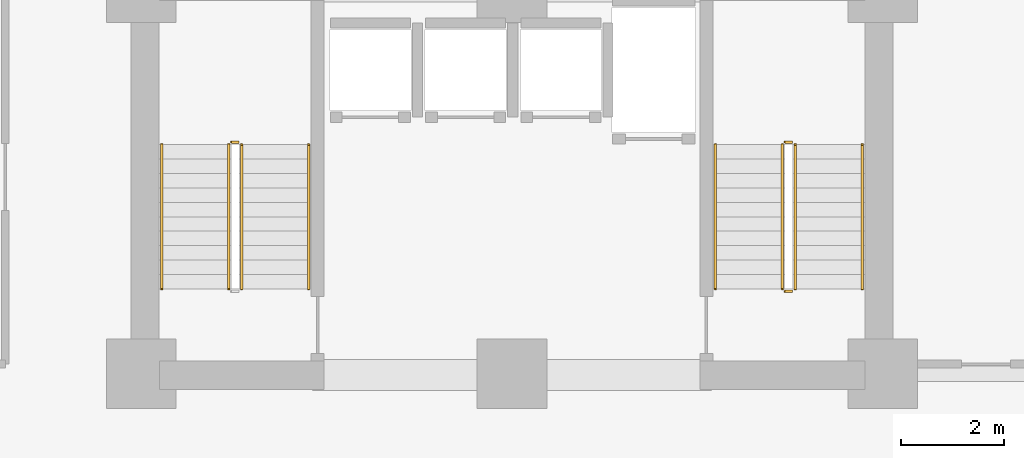
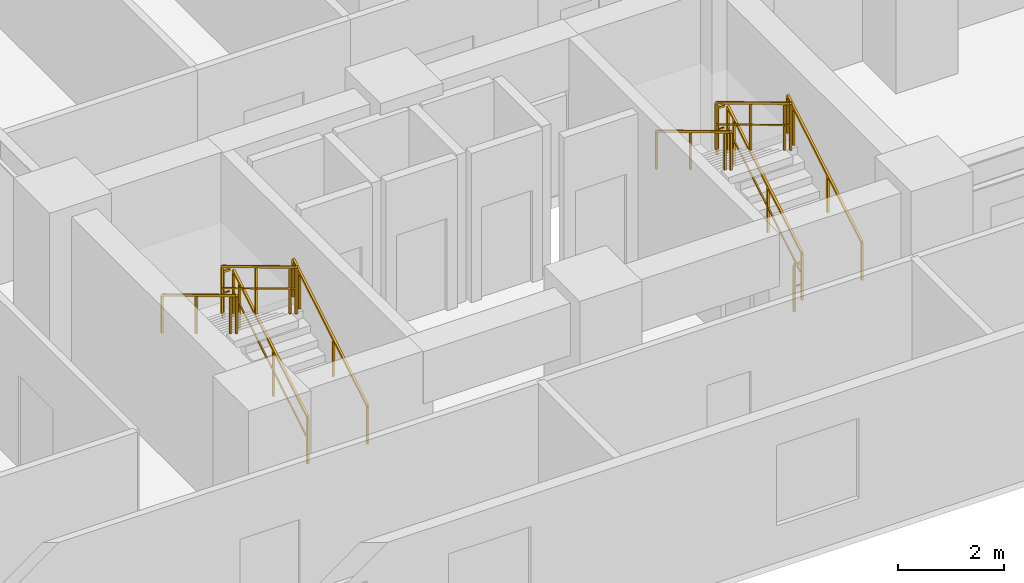
# One storey, part 15 of 16: 11 railings.
"""IFC4 building model written with IfcOpenShell, lengths in metres."""

from ifc_helpers import new_model, si_unit, direction, frame, origin, origin_2d, place, context, subcontext, project, spatial, rectangle, extrude, material, type_object, element, save


model = new_model("IFC4")

# Units and contexts
model_context = context("Model", 3, precision=1e-05, world=origin(), true_north=direction((0.0, 1.0)))
body_context = subcontext(model_context, "Body", "Model", "MODEL_VIEW")
ifc_project = project(units=[si_unit("LENGTHUNIT", "METRE"), si_unit("AREAUNIT", "SQUARE_METRE"), si_unit("VOLUMEUNIT", "CUBIC_METRE"), si_unit("PLANEANGLEUNIT", "RADIAN"), si_unit("MASSUNIT", "GRAM", prefix="KILO")], contexts=[model_context])

# Site, building, storey
site_placement = place(None, origin())
site = spatial("IfcSite", under=ifc_project, at=site_placement, CompositionType="ELEMENT")
building_placement = place(site_placement, origin())
building = spatial("IfcBuilding", under=site, at=building_placement, Name="Kaliganga Portal Commons", CompositionType="ELEMENT")
storey_placement = place(building_placement, frame((0.0, 0.0, 29.0)))
storey = spatial("IfcBuildingStorey", under=building, at=storey_placement, Name="L06", CompositionType="ELEMENT", Elevation=29.0)

# Railings
ifc_material_1 = material(Name="Galvanized Painted Steel Balustrade", Category="steel")
railing_type_1 = type_object("IfcRailingType", Name="RLG-STAIR-GRD", PredefinedType="GUARDRAIL", material=ifc_material_1)
railing_1_placement = place(storey_placement, frame((37.949951171875, 8.699951171875, 0.168212890625)))
element("IfcRailing", 1, at=railing_1_placement, inside=storey, type_object=railing_type_1, Name="L06 ST-B1 stair guard 1", PredefinedType="GUARDRAIL", context=body_context, shape_type="SweptSolid", body=[
    extrude(rectangle(XDim=0.048095703125, YDim=0.048095703125, at=origin_2d()), frame((0.0, 0.0, 1.072021484375), z_axis=(0.0, 0.857242210791, 0.514913383045), x_axis=(-1.0, 0.0, 0.0)), (0.0, 0.0, 1.0), 3.266357421875),
    extrude(rectangle(XDim=0.028076171875, YDim=0.028076171875, at=origin_2d()), frame((0.0, 0.0, 0.572021484375), z_axis=(0.0, 0.857242210791, 0.514913383045), x_axis=(-1.0, 0.0, 0.0)), (0.0, 0.0, 1.0), 3.266357421875),
    extrude(rectangle(XDim=0.0419921875, YDim=0.0419921875, at=origin_2d()), origin(), (0.0, 0.0, 1.0), 1.052001953125),
    extrude(rectangle(XDim=0.0419921875, YDim=0.0419921875, at=origin_2d()), frame((0.0, 1.285888671875, 0.7724609375)), (0.0, 0.0, 1.0), 1.052001953125),
    extrude(rectangle(XDim=0.0419921875, YDim=0.0419921875, at=origin_2d()), frame((0.0, 2.57177734375, 1.544677734375)), (0.0, 0.0, 1.0), 1.052001953125),
    extrude(rectangle(XDim=0.0419921875, YDim=0.0419921875, at=origin_2d()), frame((0.0, 2.800048828125, 1.681884765625)), (0.0, 0.0, 1.0), 1.052001953125),
])
railing_2_placement = place(storey_placement, frame((37.89990234375, 11.550048828125, 1.85009765625)))
element("IfcRailing", 2, at=railing_2_placement, inside=storey, type_object=railing_type_1, Name="L06 ST-B1 stair guard 2", PredefinedType="GUARDRAIL", context=body_context, shape_type="SweptSolid", body=[
    extrude(rectangle(XDim=0.048095703125, YDim=0.048095703125, at=origin_2d()), frame((0.0, 0.0, 1.076171875), z_axis=(-1.0, 0.0, 0.0), x_axis=(0.0, -1.0, 0.0)), (0.0, 0.0, 1.0), 0.14990234375),
    extrude(rectangle(XDim=0.028076171875, YDim=0.028076171875, at=origin_2d()), frame((0.0, 0.0, 0.572021484375), z_axis=(-1.0, 0.0, 0.0), x_axis=(0.0, -1.0, 0.0)), (0.0, 0.0, 1.0), 0.14990234375),
    extrude(rectangle(XDim=0.0419921875, YDim=0.0419921875, at=origin_2d()), frame((-0.14990234375, 0.0, 0.0)), (0.0, 0.0, 1.0), 1.052001953125),
])
railing_3_placement = place(storey_placement, frame((37.699951171875, 11.5, 2.01806640625)))
element("IfcRailing", 3, at=railing_3_placement, inside=storey, type_object=railing_type_1, Name="L06 ST-B1 stair guard 3", PredefinedType="GUARDRAIL", context=body_context, shape_type="SweptSolid", body=[
    extrude(rectangle(XDim=0.048095703125, YDim=0.048095703125, at=origin_2d()), frame((0.0, 0.0, 1.072021484375), z_axis=(0.0, -0.857242210791, 0.514913383045), x_axis=(1.0, 0.0, 0.0)), (0.0, 0.0, 1.0), 3.266357421875),
    extrude(rectangle(XDim=0.028076171875, YDim=0.028076171875, at=origin_2d()), frame((0.0, 0.0, 0.572021484375), z_axis=(0.0, -0.857242210791, 0.514913383045), x_axis=(1.0, 0.0, 0.0)), (0.0, 0.0, 1.0), 3.266357421875),
    extrude(rectangle(XDim=0.0419921875, YDim=0.0419921875, at=origin_2d()), origin(), (0.0, 0.0, 1.0), 1.052001953125),
    extrude(rectangle(XDim=0.0419921875, YDim=0.0419921875, at=origin_2d()), frame((0.0, -1.285888671875, 0.7724609375)), (0.0, 0.0, 1.0), 1.052001953125),
    extrude(rectangle(XDim=0.0419921875, YDim=0.0419921875, at=origin_2d()), frame((0.0, -2.57177734375, 1.544677734375)), (0.0, 0.0, 1.0), 1.052001953125),
    extrude(rectangle(XDim=0.0419921875, YDim=0.0419921875, at=origin_2d()), frame((0.0, -2.800048828125, 1.681884765625)), (0.0, 0.0, 1.0), 1.052001953125),
])
railing_4_placement = place(storey_placement, frame((48.699951171875, 8.699951171875, 0.168212890625)))
element("IfcRailing", 4, at=railing_4_placement, inside=storey, type_object=railing_type_1, Name="L06 ST-B2 stair guard 1", PredefinedType="GUARDRAIL", context=body_context, shape_type="SweptSolid", body=[
    extrude(rectangle(XDim=0.048095703125, YDim=0.048095703125, at=origin_2d()), frame((0.0, 0.0, 1.072021484375), z_axis=(0.0, 0.857242210791, 0.514913383045), x_axis=(-1.0, 0.0, 0.0)), (0.0, 0.0, 1.0), 3.266357421875),
    extrude(rectangle(XDim=0.028076171875, YDim=0.028076171875, at=origin_2d()), frame((0.0, 0.0, 0.572021484375), z_axis=(0.0, 0.857242210791, 0.514913383045), x_axis=(-1.0, 0.0, 0.0)), (0.0, 0.0, 1.0), 3.266357421875),
    extrude(rectangle(XDim=0.0419921875, YDim=0.0419921875, at=origin_2d()), origin(), (0.0, 0.0, 1.0), 1.052001953125),
    extrude(rectangle(XDim=0.0419921875, YDim=0.0419921875, at=origin_2d()), frame((0.0, 1.285888671875, 0.7724609375)), (0.0, 0.0, 1.0), 1.052001953125),
    extrude(rectangle(XDim=0.0419921875, YDim=0.0419921875, at=origin_2d()), frame((0.0, 2.57177734375, 1.544677734375)), (0.0, 0.0, 1.0), 1.052001953125),
    extrude(rectangle(XDim=0.0419921875, YDim=0.0419921875, at=origin_2d()), frame((0.0, 2.800048828125, 1.681884765625)), (0.0, 0.0, 1.0), 1.052001953125),
])
railing_5_placement = place(storey_placement, frame((48.64990234375, 11.550048828125, 1.85009765625)))
element("IfcRailing", 5, at=railing_5_placement, inside=storey, type_object=railing_type_1, Name="L06 ST-B2 stair guard 2", PredefinedType="GUARDRAIL", context=body_context, shape_type="SweptSolid", body=[
    extrude(rectangle(XDim=0.048095703125, YDim=0.048095703125, at=origin_2d()), frame((0.0, 0.0, 1.076171875), z_axis=(-1.0, 0.0, 0.0), x_axis=(0.0, -1.0, 0.0)), (0.0, 0.0, 1.0), 0.14990234375),
    extrude(rectangle(XDim=0.028076171875, YDim=0.028076171875, at=origin_2d()), frame((0.0, 0.0, 0.572021484375), z_axis=(-1.0, 0.0, 0.0), x_axis=(0.0, -1.0, 0.0)), (0.0, 0.0, 1.0), 0.14990234375),
    extrude(rectangle(XDim=0.0419921875, YDim=0.0419921875, at=origin_2d()), frame((-0.14990234375, 0.0, 0.0)), (0.0, 0.0, 1.0), 1.052001953125),
])
railing_6_placement = place(storey_placement, frame((48.449951171875, 11.5, 2.01806640625)))
element("IfcRailing", 6, at=railing_6_placement, inside=storey, type_object=railing_type_1, Name="L06 ST-B2 stair guard 3", PredefinedType="GUARDRAIL", context=body_context, shape_type="SweptSolid", body=[
    extrude(rectangle(XDim=0.048095703125, YDim=0.048095703125, at=origin_2d()), frame((0.0, 0.0, 1.072021484375), z_axis=(0.0, -0.857242210791, 0.514913383045), x_axis=(1.0, 0.0, 0.0)), (0.0, 0.0, 1.0), 3.266357421875),
    extrude(rectangle(XDim=0.028076171875, YDim=0.028076171875, at=origin_2d()), frame((0.0, 0.0, 0.572021484375), z_axis=(0.0, -0.857242210791, 0.514913383045), x_axis=(1.0, 0.0, 0.0)), (0.0, 0.0, 1.0), 3.266357421875),
    extrude(rectangle(XDim=0.0419921875, YDim=0.0419921875, at=origin_2d()), origin(), (0.0, 0.0, 1.0), 1.052001953125),
    extrude(rectangle(XDim=0.0419921875, YDim=0.0419921875, at=origin_2d()), frame((0.0, -1.285888671875, 0.7724609375)), (0.0, 0.0, 1.0), 1.052001953125),
    extrude(rectangle(XDim=0.0419921875, YDim=0.0419921875, at=origin_2d()), frame((0.0, -2.57177734375, 1.544677734375)), (0.0, 0.0, 1.0), 1.052001953125),
    extrude(rectangle(XDim=0.0419921875, YDim=0.0419921875, at=origin_2d()), frame((0.0, -2.800048828125, 1.681884765625)), (0.0, 0.0, 1.0), 1.052001953125),
])
railing_7_placement = place(storey_placement, frame((48.64990234375, 8.64990234375, 0.0)))
element("IfcRailing", 7, at=railing_7_placement, inside=storey, type_object=railing_type_1, Name="L06 ST-B2 stair guard 4", PredefinedType="GUARDRAIL", context=body_context, shape_type="SweptSolid", body=[
    extrude(rectangle(XDim=0.048095703125, YDim=0.048095703125, at=origin_2d()), frame((0.0, 0.0, 1.076171875), z_axis=(-1.0, 0.0, 0.0), x_axis=(0.0, -1.0, 0.0)), (0.0, 0.0, 1.0), 0.14990234375),
    extrude(rectangle(XDim=0.028076171875, YDim=0.028076171875, at=origin_2d()), frame((0.0, 0.0, 0.572021484375), z_axis=(-1.0, 0.0, 0.0), x_axis=(0.0, -1.0, 0.0)), (0.0, 0.0, 1.0), 0.14990234375),
    extrude(rectangle(XDim=0.0419921875, YDim=0.0419921875, at=origin_2d()), frame((-0.14990234375, 0.0, 0.0)), (0.0, 0.0, 1.0), 1.052001953125),
])
ifc_material_2 = material(Name="Brushed Stainless Steel 316", Category="steel")
railing_type_2 = type_object("IfcRailingType", Name="RLG-STAIR-HR", PredefinedType="HANDRAIL", material=ifc_material_2)
railing_8_placement = place(storey_placement, frame((39.25, 8.699951171875, 0.168212890625)))
element("IfcRailing", 8, at=railing_8_placement, inside=storey, type_object=railing_type_2, Name="L06 ST-B1 stair handrail 1", PredefinedType="HANDRAIL", context=body_context, shape_type="SweptSolid", body=[
    extrude(rectangle(XDim=0.048095703125, YDim=0.048095703125, at=origin_2d()), frame((0.0, 0.0, 0.871826171875), z_axis=(0.0, 0.857242210791, 0.514913383045), x_axis=(-1.0, 0.0, 0.0)), (0.0, 0.0, 1.0), 3.266357421875),
    extrude(rectangle(XDim=0.0419921875, YDim=0.0419921875, at=origin_2d()), origin(), (0.0, 0.0, 1.0), 0.851806640625),
    extrude(rectangle(XDim=0.0419921875, YDim=0.0419921875, at=origin_2d()), frame((0.0, 1.285888671875, 0.7724609375)), (0.0, 0.0, 1.0), 0.851806640625),
    extrude(rectangle(XDim=0.0419921875, YDim=0.0419921875, at=origin_2d()), frame((0.0, 2.57177734375, 1.544677734375)), (0.0, 0.0, 1.0), 0.851806640625),
    extrude(rectangle(XDim=0.0419921875, YDim=0.0419921875, at=origin_2d()), frame((0.0, 2.800048828125, 1.681884765625)), (0.0, 0.0, 1.0), 0.851806640625),
])
railing_9_placement = place(storey_placement, frame((36.39990234375, 11.5, 2.01806640625)))
element("IfcRailing", 9, at=railing_9_placement, inside=storey, type_object=railing_type_2, Name="L06 ST-B1 stair handrail 2", PredefinedType="HANDRAIL", context=body_context, shape_type="SweptSolid", body=[
    extrude(rectangle(XDim=0.048095703125, YDim=0.048095703125, at=origin_2d()), frame((0.0, 0.0, 0.871826171875), z_axis=(0.0, -0.857242210791, 0.514913383045), x_axis=(1.0, 0.0, 0.0)), (0.0, 0.0, 1.0), 3.266357421875),
    extrude(rectangle(XDim=0.0419921875, YDim=0.0419921875, at=origin_2d()), origin(), (0.0, 0.0, 1.0), 0.851806640625),
    extrude(rectangle(XDim=0.0419921875, YDim=0.0419921875, at=origin_2d()), frame((0.0, -1.285888671875, 0.7724609375)), (0.0, 0.0, 1.0), 0.851806640625),
    extrude(rectangle(XDim=0.0419921875, YDim=0.0419921875, at=origin_2d()), frame((0.0, -2.57177734375, 1.544677734375)), (0.0, 0.0, 1.0), 0.851806640625),
    extrude(rectangle(XDim=0.0419921875, YDim=0.0419921875, at=origin_2d()), frame((0.0, -2.800048828125, 1.681884765625)), (0.0, 0.0, 1.0), 0.851806640625),
])
railing_10_placement = place(storey_placement, frame((50.0, 8.699951171875, 0.168212890625)))
element("IfcRailing", 10, at=railing_10_placement, inside=storey, type_object=railing_type_2, Name="L06 ST-B2 stair handrail 1", PredefinedType="HANDRAIL", context=body_context, shape_type="SweptSolid", body=[
    extrude(rectangle(XDim=0.048095703125, YDim=0.048095703125, at=origin_2d()), frame((0.0, 0.0, 0.871826171875), z_axis=(0.0, 0.857242210791, 0.514913383045), x_axis=(-1.0, 0.0, 0.0)), (0.0, 0.0, 1.0), 3.266357421875),
    extrude(rectangle(XDim=0.0419921875, YDim=0.0419921875, at=origin_2d()), origin(), (0.0, 0.0, 1.0), 0.851806640625),
    extrude(rectangle(XDim=0.0419921875, YDim=0.0419921875, at=origin_2d()), frame((0.0, 1.285888671875, 0.7724609375)), (0.0, 0.0, 1.0), 0.851806640625),
    extrude(rectangle(XDim=0.0419921875, YDim=0.0419921875, at=origin_2d()), frame((0.0, 2.57177734375, 1.544677734375)), (0.0, 0.0, 1.0), 0.851806640625),
    extrude(rectangle(XDim=0.0419921875, YDim=0.0419921875, at=origin_2d()), frame((0.0, 2.800048828125, 1.681884765625)), (0.0, 0.0, 1.0), 0.851806640625),
])
railing_11_placement = place(storey_placement, frame((47.14990234375, 11.5, 2.01806640625)))
element("IfcRailing", 11, at=railing_11_placement, inside=storey, type_object=railing_type_2, Name="L06 ST-B2 stair handrail 2", PredefinedType="HANDRAIL", context=body_context, shape_type="SweptSolid", body=[
    extrude(rectangle(XDim=0.048095703125, YDim=0.048095703125, at=origin_2d()), frame((0.0, 0.0, 0.871826171875), z_axis=(0.0, -0.857242210791, 0.514913383045), x_axis=(1.0, 0.0, 0.0)), (0.0, 0.0, 1.0), 3.266357421875),
    extrude(rectangle(XDim=0.0419921875, YDim=0.0419921875, at=origin_2d()), origin(), (0.0, 0.0, 1.0), 0.851806640625),
    extrude(rectangle(XDim=0.0419921875, YDim=0.0419921875, at=origin_2d()), frame((0.0, -1.285888671875, 0.7724609375)), (0.0, 0.0, 1.0), 0.851806640625),
    extrude(rectangle(XDim=0.0419921875, YDim=0.0419921875, at=origin_2d()), frame((0.0, -2.57177734375, 1.544677734375)), (0.0, 0.0, 1.0), 0.851806640625),
    extrude(rectangle(XDim=0.0419921875, YDim=0.0419921875, at=origin_2d()), frame((0.0, -2.800048828125, 1.681884765625)), (0.0, 0.0, 1.0), 0.851806640625),
])

save(model, "model.ifc")
